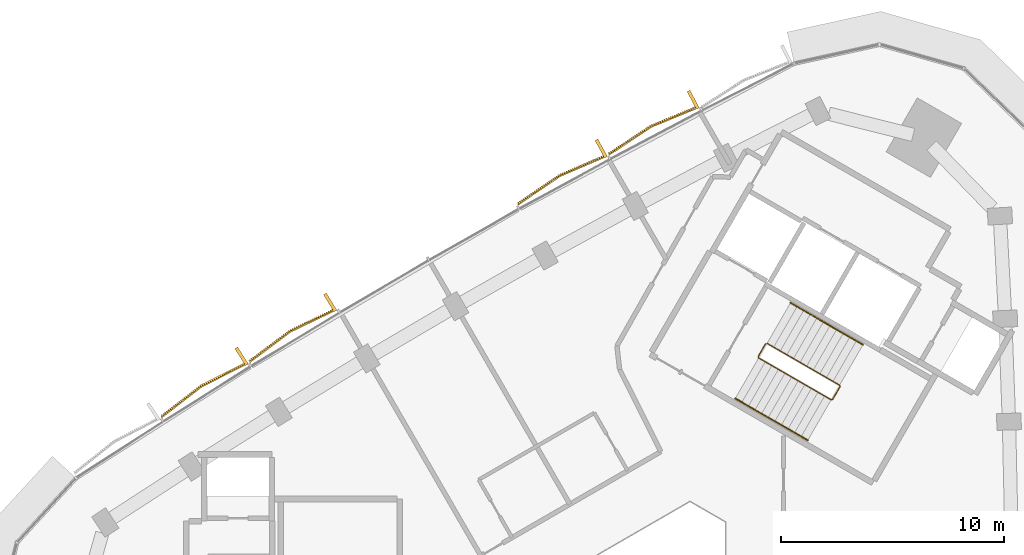
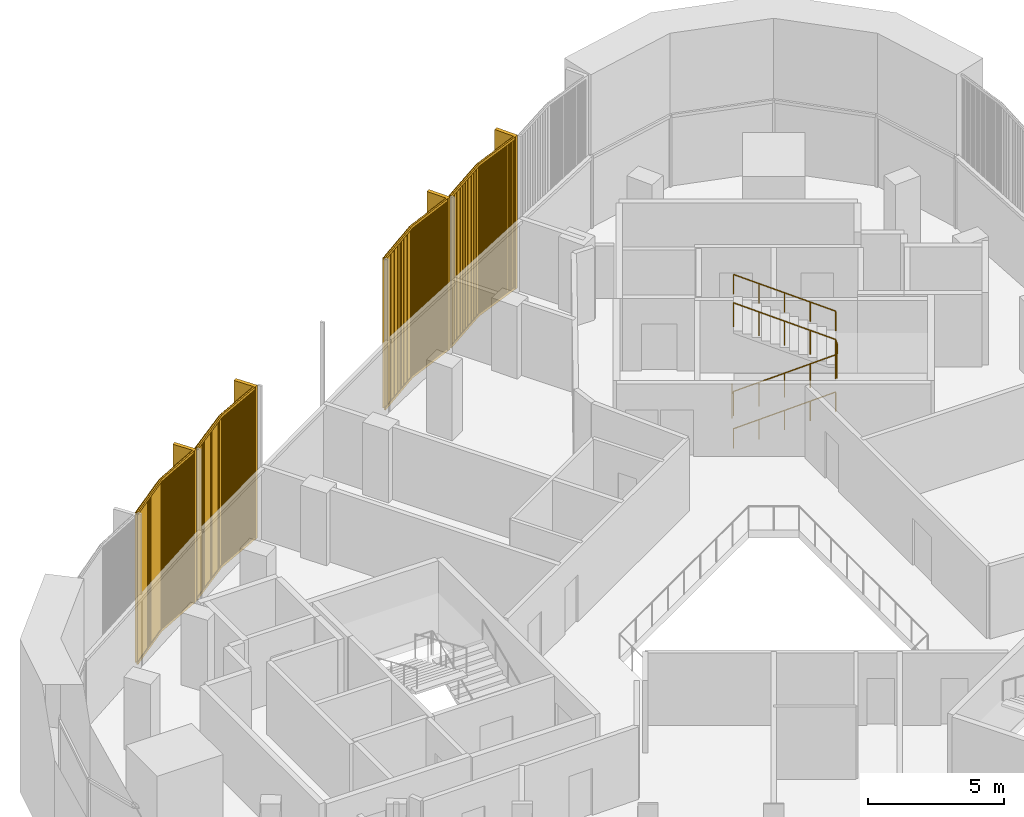
# One storey, part 15 of 16: 4 coverings, 3 railings.
"""IFC4 building model written with IfcOpenShell, lengths in metres."""

from ifc_helpers import new_model, si_unit, direction, frame, frame_2d, origin, origin_2d, place, context, subcontext, project, spatial, rectangle, circle, extrude, source, transform, mapped, material, type_object, element, save


model = new_model("IFC4")

# Units and contexts
model_context = context("Model", 3, precision=1e-05, world=origin(), true_north=direction((0.0, 1.0)))
body_context = subcontext(model_context, "Body", "Model", "MODEL_VIEW")
ifc_project = project(units=[si_unit("LENGTHUNIT", "METRE"), si_unit("AREAUNIT", "SQUARE_METRE"), si_unit("VOLUMEUNIT", "CUBIC_METRE"), si_unit("PLANEANGLEUNIT", "RADIAN"), si_unit("MASSUNIT", "GRAM", prefix="KILO")], contexts=[model_context])

# Site, building, storey
site_placement = place(None, origin())
site = spatial("IfcSite", under=ifc_project, at=site_placement, CompositionType="ELEMENT")
building_placement = place(site_placement, origin())
building = spatial("IfcBuilding", under=site, at=building_placement, Name="Tamra Quay Hotel Tower", CompositionType="ELEMENT")
storey_placement = place(building_placement, frame((0.0, 0.0, 243.0)))
storey = spatial("IfcBuildingStorey", under=building, at=storey_placement, Name="L61", CompositionType="ELEMENT", Elevation=243.0)

# Railings
ifc_material_1 = material(Name="Stair guard 1100")
railing_type_1 = type_object("IfcRailingType", Name="Stair guard 1100", PredefinedType="GUARDRAIL", material=ifc_material_1)
railing_1_placement = place(storey_placement, frame((5.595458984375, 12.751953125, 0.0)))
element("IfcRailing", 1, at=railing_1_placement, inside=storey, type_object=railing_type_1, Name="GR", PredefinedType="GUARDRAIL", context=body_context, shape_type="SweptSolid", body=[
    extrude(circle(Radius=0.02392578125, at=origin_2d()), frame((0.0, 0.0, 1.076171875), z_axis=(-0.499765215335, -0.866160914346, 0.0), x_axis=(0.866160914346, -0.499765215335, 0.0)), (0.0, 0.0, 1.0), 0.658935546875),
    extrude(circle(Radius=0.02392578125, at=origin_2d()), frame((-0.329345703125, -0.57080078125, 1.076171875), z_axis=(0.110525977783, -0.411156637351, 0.904839338113), x_axis=(0.965715946433, 0.259601060869, 0.0)), (0.0, 0.0, 1.0), 0.165771484375),
    extrude(circle(Radius=0.02392578125, at=origin_2d()), frame((-0.31103515625, -0.638916015625, 1.22607421875), z_axis=(0.79305953016, -0.457922937641, 0.401700342053), x_axis=(0.500040788363, 0.866001853331, 0.0)), (0.0, 0.0, 1.0), 4.10791015625),
    extrude(circle(Radius=0.02392578125, at=origin_2d()), frame((2.94677734375, -2.52001953125, 2.8759765625), z_axis=(0.965948051503, 0.258736085224, 0.0), x_axis=(-0.258736085224, 0.965948051503, 0.0)), (0.0, 0.0, 1.0), 0.07080078125),
    extrude(circle(Radius=0.02392578125, at=origin_2d()), frame((3.01513671875, -2.501708984375, 2.8759765625), z_axis=(0.500043078269, 0.866000531106, 0.0), x_axis=(-0.866000531106, 0.500043078269, 0.0)), (0.0, 0.0, 1.0), 0.6591796875),
    extrude(circle(Radius=0.02392578125, at=origin_2d()), frame((3.3447265625, -1.930908203125, 2.8759765625), z_axis=(-0.110525977783, 0.411156637351, 0.904839338113), x_axis=(-0.965715946433, -0.259601060869, 0.0)), (0.0, 0.0, 1.0), 0.165771484375),
    extrude(circle(Radius=0.02392578125, at=origin_2d()), frame((3.326416015625, -1.86279296875, 3.02587890625), z_axis=(-0.793081581205, 0.457901355053, 0.401681409319), x_axis=(-0.500012686397, -0.866018079166, 0.0)), (0.0, 0.0, 1.0), 4.108154296875),
    extrude(circle(Radius=0.02099609375, at=origin_2d()), origin(), (0.0, 0.0, 1.0), 1.052001953125),
    extrude(circle(Radius=0.02099609375, at=origin_2d()), frame((-0.329345703125, -0.57080078125, 0.0)), (0.0, 0.0, 1.0), 1.052001953125),
    extrude(circle(Radius=0.02099609375, at=origin_2d()), frame((-0.31103515625, -0.638916015625, 0.14990234375)), (0.0, 0.0, 1.0), 1.052001953125),
    extrude(circle(Radius=0.02099609375, at=origin_2d()), frame((0.50341796875, -1.109130859375, 0.5625)), (0.0, 0.0, 1.0), 1.052001953125),
    extrude(circle(Radius=0.02099609375, at=origin_2d()), frame((1.31787109375, -1.57958984375, 0.97509765625)), (0.0, 0.0, 1.0), 1.052001953125),
    extrude(circle(Radius=0.02099609375, at=origin_2d()), frame((2.13232421875, -2.0498046875, 1.387451171875)), (0.0, 0.0, 1.0), 1.052001953125),
    extrude(circle(Radius=0.02099609375, at=origin_2d()), frame((2.94677734375, -2.52001953125, 1.800048828125)), (0.0, 0.0, 1.0), 1.052001953125),
    extrude(circle(Radius=0.02099609375, at=origin_2d()), frame((3.01513671875, -2.501708984375, 1.800048828125)), (0.0, 0.0, 1.0), 1.052001953125),
    extrude(circle(Radius=0.02099609375, at=origin_2d()), frame((3.3447265625, -1.930908203125, 1.800048828125)), (0.0, 0.0, 1.0), 1.052001953125),
    extrude(circle(Radius=0.02099609375, at=origin_2d()), frame((3.326416015625, -1.86279296875, 1.949951171875)), (0.0, 0.0, 1.0), 1.052001953125),
    extrude(circle(Radius=0.02099609375, at=origin_2d()), frame((2.511962890625, -1.392578125, 2.362548828125)), (0.0, 0.0, 1.0), 1.052001953125),
    extrude(circle(Radius=0.02099609375, at=origin_2d()), frame((1.697265625, -0.92236328125, 2.77490234375)), (0.0, 0.0, 1.0), 1.052001953125),
    extrude(circle(Radius=0.02099609375, at=origin_2d()), frame((0.8828125, -0.451904296875, 3.1875)), (0.0, 0.0, 1.0), 1.052001953125),
    extrude(circle(Radius=0.02099609375, at=origin_2d()), frame((0.068359375, 0.018310546875, 3.60009765625)), (0.0, 0.0, 1.0), 1.052001953125),
])
ifc_material_2 = material(Name="Stair handrail 900")
railing_type_2 = type_object("IfcRailingType", Name="Stair handrail 900", PredefinedType="HANDRAIL", material=ifc_material_2)
railing_2_placement = place(storey_placement, frame((4.234375, 10.294189453125, 0.14990234375)))
element("IfcRailing", 2, at=railing_2_placement, inside=storey, type_object=railing_type_2, Name="HR", PredefinedType="HANDRAIL", context=body_context, shape_type="SweptSolid", body=[
    extrude(circle(Radius=0.02392578125, at=origin_2d()), frame((0.0, 0.0, 0.8759765625), z_axis=(0.793103162556, -0.457854384738, 0.401692339881), x_axis=(0.499964013922, 0.86604617936, 0.0)), (0.0, 0.0, 1.0), 4.10791015625),
    extrude(circle(Radius=0.02099609375, at=origin_2d()), origin(), (0.0, 0.0, 1.0), 0.851806640625),
    extrude(circle(Radius=0.02099609375, at=origin_2d()), frame((0.814453125, -0.47021484375, 0.41259765625)), (0.0, 0.0, 1.0), 0.851806640625),
    extrude(circle(Radius=0.02099609375, at=origin_2d()), frame((1.62890625, -0.9404296875, 0.8251953125)), (0.0, 0.0, 1.0), 0.851806640625),
    extrude(circle(Radius=0.02099609375, at=origin_2d()), frame((2.443603515625, -1.41064453125, 1.237548828125)), (0.0, 0.0, 1.0), 0.851806640625),
    extrude(circle(Radius=0.02099609375, at=origin_2d()), frame((3.258056640625, -1.880859375, 1.650146484375)), (0.0, 0.0, 1.0), 0.851806640625),
])
railing_3_placement = place(storey_placement, frame((9.971923828125, 12.7080078125, 1.949951171875)))
element("IfcRailing", 3, at=railing_3_placement, inside=storey, type_object=railing_type_2, Name="HR", PredefinedType="HANDRAIL", context=body_context, shape_type="SweptSolid", body=[
    extrude(circle(Radius=0.02392578125, at=origin_2d()), frame((0.0, 0.0, 0.8759765625), z_axis=(-0.793103162556, 0.457854384738, 0.401692339881), x_axis=(-0.499964013922, -0.86604617936, 0.0)), (0.0, 0.0, 1.0), 4.10791015625),
    extrude(circle(Radius=0.02099609375, at=origin_2d()), origin(), (0.0, 0.0, 1.0), 0.851806640625),
    extrude(circle(Radius=0.02099609375, at=origin_2d()), frame((-0.814453125, 0.47021484375, 0.41259765625)), (0.0, 0.0, 1.0), 0.851806640625),
    extrude(circle(Radius=0.02099609375, at=origin_2d()), frame((-1.62890625, 0.9404296875, 0.8251953125)), (0.0, 0.0, 1.0), 0.851806640625),
    extrude(circle(Radius=0.02099609375, at=origin_2d()), frame((-2.443603515625, 1.41064453125, 1.237548828125)), (0.0, 0.0, 1.0), 0.851806640625),
    extrude(circle(Radius=0.02099609375, at=origin_2d()), frame((-3.258056640625, 1.880859375, 1.650146484375)), (0.0, 0.0, 1.0), 0.851806640625),
])

# Coverings
ifc_material_3 = material(Name="Terracotta baguette extruded", Category="masonry")
covering_type = type_object("IfcCoveringType", Name="BAGUETTE SCREEN NW-V H6850", PredefinedType="USERDEFINED", material=ifc_material_3)
shared_shape_1 = source(origin(), body_context, "Body", "SweptSolid", [
    extrude(rectangle(XDim=2.29296875, YDim=0.06005859375, at=frame_2d((1.146484375, 0.030029296875))), frame((-2.288330078125, -0.0576171875, -0.1201171875), z_axis=(0.0, 0.0, 1.0), x_axis=(0.995396198367, -0.09584575252, 0.0)), (0.0, 0.0, 1.0), 0.1201171875),
    extrude(rectangle(XDim=2.29296875, YDim=0.06005859375, at=frame_2d((1.146484375, 0.030029296875))), frame((-2.288330078125, -0.0576171875, -6.85009765625), z_axis=(0.0, 0.0, 1.0), x_axis=(0.995396198367, -0.09584575252, 0.0)), (0.0, 0.0, 1.0), 0.1201171875),
    extrude(rectangle(XDim=0.070068359375, YDim=0.10009765625, at=frame_2d((0.03515625, 0.050048828125))), frame((-2.267822265625, -0.1328125, -6.7900390625)), (0.0, 0.0, 1.0), 6.72998046875),
    extrude(rectangle(XDim=0.070068359375, YDim=0.10009765625, at=frame_2d((0.03515625, 0.050048828125))), frame((-2.168701171875, -0.142333984375, -6.7900390625)), (0.0, 0.0, 1.0), 6.72998046875),
    extrude(rectangle(XDim=0.070068359375, YDim=0.10009765625, at=frame_2d((0.03515625, 0.050048828125))), frame((-2.0693359375, -0.15185546875, -6.7900390625)), (0.0, 0.0, 1.0), 6.72998046875),
    extrude(rectangle(XDim=0.070068359375, YDim=0.10009765625, at=frame_2d((0.03515625, 0.050048828125))), frame((-1.97021484375, -0.161376953125, -6.7900390625)), (0.0, 0.0, 1.0), 6.72998046875),
    extrude(rectangle(XDim=0.070068359375, YDim=0.10009765625, at=frame_2d((0.03515625, 0.050048828125))), frame((-1.870849609375, -0.1708984375, -6.7900390625)), (0.0, 0.0, 1.0), 6.72998046875),
    extrude(rectangle(XDim=0.070068359375, YDim=0.10009765625, at=frame_2d((0.03515625, 0.050048828125))), frame((-1.771728515625, -0.1806640625, -6.7900390625)), (0.0, 0.0, 1.0), 6.72998046875),
    extrude(rectangle(XDim=0.070068359375, YDim=0.10009765625, at=frame_2d((0.03515625, 0.050048828125))), frame((-1.67236328125, -0.190185546875, -6.7900390625)), (0.0, 0.0, 1.0), 6.72998046875),
    extrude(rectangle(XDim=0.070068359375, YDim=0.10009765625, at=frame_2d((0.03515625, 0.050048828125))), frame((-1.5732421875, -0.19970703125, -6.7900390625)), (0.0, 0.0, 1.0), 6.72998046875),
    extrude(rectangle(XDim=0.070068359375, YDim=0.10009765625, at=frame_2d((0.03515625, 0.050048828125))), frame((-1.473876953125, -0.209228515625, -6.7900390625)), (0.0, 0.0, 1.0), 6.72998046875),
    extrude(rectangle(XDim=0.070068359375, YDim=0.10009765625, at=frame_2d((0.03515625, 0.050048828125))), frame((-1.374755859375, -0.21875, -6.7900390625)), (0.0, 0.0, 1.0), 6.72998046875),
    extrude(rectangle(XDim=0.070068359375, YDim=0.10009765625, at=frame_2d((0.03515625, 0.050048828125))), frame((-1.275390625, -0.228271484375, -6.7900390625)), (0.0, 0.0, 1.0), 6.72998046875),
    extrude(rectangle(XDim=0.070068359375, YDim=0.10009765625, at=frame_2d((0.03515625, 0.050048828125))), frame((-1.17626953125, -0.23779296875, -6.7900390625)), (0.0, 0.0, 1.0), 6.72998046875),
    extrude(rectangle(XDim=0.070068359375, YDim=0.10009765625, at=frame_2d((0.03515625, 0.050048828125))), frame((-1.076904296875, -0.24755859375, -6.7900390625)), (0.0, 0.0, 1.0), 6.72998046875),
    extrude(rectangle(XDim=0.070068359375, YDim=0.10009765625, at=frame_2d((0.03515625, 0.050048828125))), frame((-0.977783203125, -0.257080078125, -6.7900390625)), (0.0, 0.0, 1.0), 6.72998046875),
    extrude(rectangle(XDim=0.070068359375, YDim=0.10009765625, at=frame_2d((0.03515625, 0.050048828125))), frame((-0.87841796875, -0.2666015625, -6.7900390625)), (0.0, 0.0, 1.0), 6.72998046875),
    extrude(rectangle(XDim=0.070068359375, YDim=0.10009765625, at=frame_2d((0.03515625, 0.050048828125))), frame((-0.779296875, -0.276123046875, -6.7900390625)), (0.0, 0.0, 1.0), 6.72998046875),
    extrude(rectangle(XDim=0.070068359375, YDim=0.10009765625, at=frame_2d((0.03515625, 0.050048828125))), frame((-0.679931640625, -0.28564453125, -6.7900390625)), (0.0, 0.0, 1.0), 6.72998046875),
    extrude(rectangle(XDim=0.070068359375, YDim=0.10009765625, at=frame_2d((0.03515625, 0.050048828125))), frame((-0.580810546875, -0.295166015625, -6.7900390625)), (0.0, 0.0, 1.0), 6.72998046875),
    extrude(rectangle(XDim=0.070068359375, YDim=0.10009765625, at=frame_2d((0.03515625, 0.050048828125))), frame((-0.481689453125, -0.3046875, -6.7900390625)), (0.0, 0.0, 1.0), 6.72998046875),
    extrude(rectangle(XDim=0.070068359375, YDim=0.10009765625, at=frame_2d((0.03515625, 0.050048828125))), frame((-0.38232421875, -0.314453125, -6.7900390625)), (0.0, 0.0, 1.0), 6.72998046875),
    extrude(rectangle(XDim=0.070068359375, YDim=0.10009765625, at=frame_2d((0.03515625, 0.050048828125))), frame((-0.283203125, -0.323974609375, -6.7900390625)), (0.0, 0.0, 1.0), 6.72998046875),
    extrude(rectangle(XDim=0.070068359375, YDim=0.10009765625, at=frame_2d((0.03515625, 0.050048828125))), frame((-0.183837890625, -0.33349609375, -6.7900390625)), (0.0, 0.0, 1.0), 6.72998046875),
    extrude(rectangle(XDim=0.070068359375, YDim=0.10009765625, at=frame_2d((0.03515625, 0.050048828125))), frame((-0.084716796875, -0.343017578125, -6.7900390625)), (0.0, 0.0, 1.0), 6.72998046875),
    extrude(rectangle(XDim=2.29296875, YDim=0.06005859375, at=frame_2d((1.146484375, 0.030029296875))), frame((0.005859375, -0.277587890625, -0.1201171875), z_axis=(0.0, 0.0, 1.0), x_axis=(0.995396198367, 0.09584575252, 0.0)), (0.0, 0.0, 1.0), 0.1201171875),
    extrude(rectangle(XDim=2.29296875, YDim=0.06005859375, at=frame_2d((1.146484375, 0.030029296875))), frame((0.005859375, -0.277587890625, -6.85009765625), z_axis=(0.0, 0.0, 1.0), x_axis=(0.995396198367, 0.09584575252, 0.0)), (0.0, 0.0, 1.0), 0.1201171875),
    extrude(rectangle(XDim=0.070068359375, YDim=0.10009765625, at=frame_2d((0.03515625, 0.050048828125))), frame((0.0146484375, -0.343017578125, -6.7900390625)), (0.0, 0.0, 1.0), 6.72998046875),
    extrude(rectangle(XDim=0.070068359375, YDim=0.10009765625, at=frame_2d((0.03515625, 0.050048828125))), frame((0.11376953125, -0.33349609375, -6.7900390625)), (0.0, 0.0, 1.0), 6.72998046875),
    extrude(rectangle(XDim=0.070068359375, YDim=0.10009765625, at=frame_2d((0.03515625, 0.050048828125))), frame((0.213134765625, -0.323974609375, -6.7900390625)), (0.0, 0.0, 1.0), 6.72998046875),
    extrude(rectangle(XDim=0.070068359375, YDim=0.10009765625, at=frame_2d((0.03515625, 0.050048828125))), frame((0.312255859375, -0.314453125, -6.7900390625)), (0.0, 0.0, 1.0), 6.72998046875),
    extrude(rectangle(XDim=0.070068359375, YDim=0.10009765625, at=frame_2d((0.03515625, 0.050048828125))), frame((0.41162109375, -0.3046875, -6.7900390625)), (0.0, 0.0, 1.0), 6.72998046875),
    extrude(rectangle(XDim=0.070068359375, YDim=0.10009765625, at=frame_2d((0.03515625, 0.050048828125))), frame((0.5107421875, -0.295166015625, -6.7900390625)), (0.0, 0.0, 1.0), 6.72998046875),
    extrude(rectangle(XDim=0.070068359375, YDim=0.10009765625, at=frame_2d((0.03515625, 0.050048828125))), frame((0.610107421875, -0.28564453125, -6.7900390625)), (0.0, 0.0, 1.0), 6.72998046875),
    extrude(rectangle(XDim=0.070068359375, YDim=0.10009765625, at=frame_2d((0.03515625, 0.050048828125))), frame((0.709228515625, -0.276123046875, -6.7900390625)), (0.0, 0.0, 1.0), 6.72998046875),
    extrude(rectangle(XDim=0.070068359375, YDim=0.10009765625, at=frame_2d((0.03515625, 0.050048828125))), frame((0.80859375, -0.2666015625, -6.7900390625)), (0.0, 0.0, 1.0), 6.72998046875),
    extrude(rectangle(XDim=0.070068359375, YDim=0.10009765625, at=frame_2d((0.03515625, 0.050048828125))), frame((0.90771484375, -0.257080078125, -6.7900390625)), (0.0, 0.0, 1.0), 6.72998046875),
    extrude(rectangle(XDim=0.070068359375, YDim=0.10009765625, at=frame_2d((0.03515625, 0.050048828125))), frame((1.007080078125, -0.24755859375, -6.7900390625)), (0.0, 0.0, 1.0), 6.72998046875),
    extrude(rectangle(XDim=0.070068359375, YDim=0.10009765625, at=frame_2d((0.03515625, 0.050048828125))), frame((1.106201171875, -0.23779296875, -6.7900390625)), (0.0, 0.0, 1.0), 6.72998046875),
    extrude(rectangle(XDim=0.070068359375, YDim=0.10009765625, at=frame_2d((0.03515625, 0.050048828125))), frame((1.20556640625, -0.228271484375, -6.7900390625)), (0.0, 0.0, 1.0), 6.72998046875),
    extrude(rectangle(XDim=0.070068359375, YDim=0.10009765625, at=frame_2d((0.03515625, 0.050048828125))), frame((1.3046875, -0.21875, -6.7900390625)), (0.0, 0.0, 1.0), 6.72998046875),
    extrude(rectangle(XDim=0.070068359375, YDim=0.10009765625, at=frame_2d((0.03515625, 0.050048828125))), frame((1.404052734375, -0.209228515625, -6.7900390625)), (0.0, 0.0, 1.0), 6.72998046875),
    extrude(rectangle(XDim=0.070068359375, YDim=0.10009765625, at=frame_2d((0.03515625, 0.050048828125))), frame((1.503173828125, -0.19970703125, -6.7900390625)), (0.0, 0.0, 1.0), 6.72998046875),
    extrude(rectangle(XDim=0.070068359375, YDim=0.10009765625, at=frame_2d((0.03515625, 0.050048828125))), frame((1.6025390625, -0.190185546875, -6.7900390625)), (0.0, 0.0, 1.0), 6.72998046875),
    extrude(rectangle(XDim=0.070068359375, YDim=0.10009765625, at=frame_2d((0.03515625, 0.050048828125))), frame((1.70166015625, -0.1806640625, -6.7900390625)), (0.0, 0.0, 1.0), 6.72998046875),
    extrude(rectangle(XDim=0.070068359375, YDim=0.10009765625, at=frame_2d((0.03515625, 0.050048828125))), frame((1.801025390625, -0.1708984375, -6.7900390625)), (0.0, 0.0, 1.0), 6.72998046875),
    extrude(rectangle(XDim=0.070068359375, YDim=0.10009765625, at=frame_2d((0.03515625, 0.050048828125))), frame((1.900146484375, -0.161376953125, -6.7900390625)), (0.0, 0.0, 1.0), 6.72998046875),
    extrude(rectangle(XDim=0.070068359375, YDim=0.10009765625, at=frame_2d((0.03515625, 0.050048828125))), frame((1.99951171875, -0.15185546875, -6.7900390625)), (0.0, 0.0, 1.0), 6.72998046875),
    extrude(rectangle(XDim=0.070068359375, YDim=0.10009765625, at=frame_2d((0.03515625, 0.050048828125))), frame((2.0986328125, -0.142333984375, -6.7900390625)), (0.0, 0.0, 1.0), 6.72998046875),
    extrude(rectangle(XDim=0.070068359375, YDim=0.10009765625, at=frame_2d((0.03515625, 0.050048828125))), frame((2.197998046875, -0.1328125, -6.7900390625)), (0.0, 0.0, 1.0), 6.72998046875),
    extrude(rectangle(XDim=0.14990234375, YDim=0.902099609375, at=frame_2d((0.074951171875, 0.451171875))), frame((-2.282470703125, -0.89990234375, -6.85009765625)), (0.0, 0.0, 1.0), 6.85009765625),
])
for number, where, z_axis, x_axis, name in (
    (4, (-3.51220703125, 20.0703125, 6.85009765625), (0.0, 0.0, 1.0), (-0.876845960448, -0.480771423492, 0.0), "Baguette screen L61.NW.f02"),
    (5, (-15.625244140625, 13.07666015625, 6.85009765625), (0.0, 0.0, 1.0), (-0.854783246382, -0.518985165207, 0.0), "Baguette screen L61.NW.f05"),
):
    element("IfcCovering", number, at=place(storey_placement, frame(where, z_axis=z_axis, x_axis=x_axis)), inside=storey, type_object=covering_type, Name=name, ObjectType="BAGUETTE SCREEN", PredefinedType="USERDEFINED", context=body_context, shape_type="MappedRepresentation", body=[
        mapped(shared_shape_1, transform((0.0, 0.0, 0.0), scale=1.0)),
    ])
shared_shape_2 = source(origin(), body_context, "Body", "SweptSolid", [
    extrude(rectangle(XDim=2.302978515625, YDim=0.06005859375, at=frame_2d((1.1513671875, 0.030029296875))), frame((-2.29833984375, -0.0576171875, -0.1201171875), z_axis=(0.0, 0.0, 1.0), x_axis=(0.995396198367, -0.09584575252, 0.0)), (0.0, 0.0, 1.0), 0.1201171875),
    extrude(rectangle(XDim=2.302978515625, YDim=0.06005859375, at=frame_2d((1.1513671875, 0.030029296875))), frame((-2.29833984375, -0.0576171875, -6.85009765625), z_axis=(0.0, 0.0, 1.0), x_axis=(0.995396198367, -0.09584575252, 0.0)), (0.0, 0.0, 1.0), 0.1201171875),
    extrude(rectangle(XDim=0.070068359375, YDim=0.10009765625, at=frame_2d((0.03515625, 0.050048828125))), frame((-2.277587890625, -0.1328125, -6.7900390625)), (0.0, 0.0, 1.0), 6.72998046875),
    extrude(rectangle(XDim=0.070068359375, YDim=0.10009765625, at=frame_2d((0.03515625, 0.050048828125))), frame((-2.177978515625, -0.142333984375, -6.7900390625)), (0.0, 0.0, 1.0), 6.72998046875),
    extrude(rectangle(XDim=0.070068359375, YDim=0.10009765625, at=frame_2d((0.03515625, 0.050048828125))), frame((-2.078369140625, -0.152099609375, -6.7900390625)), (0.0, 0.0, 1.0), 6.72998046875),
    extrude(rectangle(XDim=0.070068359375, YDim=0.10009765625, at=frame_2d((0.03515625, 0.050048828125))), frame((-1.978759765625, -0.16162109375, -6.7900390625)), (0.0, 0.0, 1.0), 6.72998046875),
    extrude(rectangle(XDim=0.070068359375, YDim=0.10009765625, at=frame_2d((0.03515625, 0.050048828125))), frame((-1.87890625, -0.171142578125, -6.7900390625)), (0.0, 0.0, 1.0), 6.72998046875),
    extrude(rectangle(XDim=0.070068359375, YDim=0.10009765625, at=frame_2d((0.03515625, 0.050048828125))), frame((-1.779296875, -0.180908203125, -6.7900390625)), (0.0, 0.0, 1.0), 6.72998046875),
    extrude(rectangle(XDim=0.070068359375, YDim=0.10009765625, at=frame_2d((0.03515625, 0.050048828125))), frame((-1.6796875, -0.1904296875, -6.7900390625)), (0.0, 0.0, 1.0), 6.72998046875),
    extrude(rectangle(XDim=0.070068359375, YDim=0.10009765625, at=frame_2d((0.03515625, 0.050048828125))), frame((-1.579833984375, -0.199951171875, -6.7900390625)), (0.0, 0.0, 1.0), 6.72998046875),
    extrude(rectangle(XDim=0.070068359375, YDim=0.10009765625, at=frame_2d((0.03515625, 0.050048828125))), frame((-1.480224609375, -0.20947265625, -6.7900390625)), (0.0, 0.0, 1.0), 6.72998046875),
    extrude(rectangle(XDim=0.070068359375, YDim=0.10009765625, at=frame_2d((0.03515625, 0.050048828125))), frame((-1.380615234375, -0.21923828125, -6.7900390625)), (0.0, 0.0, 1.0), 6.72998046875),
    extrude(rectangle(XDim=0.070068359375, YDim=0.10009765625, at=frame_2d((0.03515625, 0.050048828125))), frame((-1.281005859375, -0.228759765625, -6.7900390625)), (0.0, 0.0, 1.0), 6.72998046875),
    extrude(rectangle(XDim=0.070068359375, YDim=0.10009765625, at=frame_2d((0.03515625, 0.050048828125))), frame((-1.18115234375, -0.23828125, -6.7900390625)), (0.0, 0.0, 1.0), 6.72998046875),
    extrude(rectangle(XDim=0.070068359375, YDim=0.10009765625, at=frame_2d((0.03515625, 0.050048828125))), frame((-1.08154296875, -0.248046875, -6.7900390625)), (0.0, 0.0, 1.0), 6.72998046875),
    extrude(rectangle(XDim=0.070068359375, YDim=0.10009765625, at=frame_2d((0.03515625, 0.050048828125))), frame((-0.98193359375, -0.257568359375, -6.7900390625)), (0.0, 0.0, 1.0), 6.72998046875),
    extrude(rectangle(XDim=0.070068359375, YDim=0.10009765625, at=frame_2d((0.03515625, 0.050048828125))), frame((-0.88232421875, -0.26708984375, -6.7900390625)), (0.0, 0.0, 1.0), 6.72998046875),
    extrude(rectangle(XDim=0.070068359375, YDim=0.10009765625, at=frame_2d((0.03515625, 0.050048828125))), frame((-0.782470703125, -0.27685546875, -6.7900390625)), (0.0, 0.0, 1.0), 6.72998046875),
    extrude(rectangle(XDim=0.070068359375, YDim=0.10009765625, at=frame_2d((0.03515625, 0.050048828125))), frame((-0.682861328125, -0.286376953125, -6.7900390625)), (0.0, 0.0, 1.0), 6.72998046875),
    extrude(rectangle(XDim=0.070068359375, YDim=0.10009765625, at=frame_2d((0.03515625, 0.050048828125))), frame((-0.583251953125, -0.2958984375, -6.7900390625)), (0.0, 0.0, 1.0), 6.72998046875),
    extrude(rectangle(XDim=0.070068359375, YDim=0.10009765625, at=frame_2d((0.03515625, 0.050048828125))), frame((-0.483642578125, -0.3056640625, -6.7900390625)), (0.0, 0.0, 1.0), 6.72998046875),
    extrude(rectangle(XDim=0.070068359375, YDim=0.10009765625, at=frame_2d((0.03515625, 0.050048828125))), frame((-0.3837890625, -0.315185546875, -6.7900390625)), (0.0, 0.0, 1.0), 6.72998046875),
    extrude(rectangle(XDim=0.070068359375, YDim=0.10009765625, at=frame_2d((0.03515625, 0.050048828125))), frame((-0.2841796875, -0.32470703125, -6.7900390625)), (0.0, 0.0, 1.0), 6.72998046875),
    extrude(rectangle(XDim=0.070068359375, YDim=0.10009765625, at=frame_2d((0.03515625, 0.050048828125))), frame((-0.1845703125, -0.334228515625, -6.7900390625)), (0.0, 0.0, 1.0), 6.72998046875),
    extrude(rectangle(XDim=0.070068359375, YDim=0.10009765625, at=frame_2d((0.03515625, 0.050048828125))), frame((-0.0849609375, -0.343994140625, -6.7900390625)), (0.0, 0.0, 1.0), 6.72998046875),
    extrude(rectangle(XDim=2.302978515625, YDim=0.06005859375, at=frame_2d((1.1513671875, 0.030029296875))), frame((0.005859375, -0.278564453125, -0.1201171875), z_axis=(0.0, 0.0, 1.0), x_axis=(0.995396198367, 0.09584575252, 0.0)), (0.0, 0.0, 1.0), 0.1201171875),
    extrude(rectangle(XDim=2.302978515625, YDim=0.06005859375, at=frame_2d((1.1513671875, 0.030029296875))), frame((0.005859375, -0.278564453125, -6.85009765625), z_axis=(0.0, 0.0, 1.0), x_axis=(0.995396198367, 0.09584575252, 0.0)), (0.0, 0.0, 1.0), 0.1201171875),
    extrude(rectangle(XDim=0.070068359375, YDim=0.10009765625, at=frame_2d((0.03515625, 0.050048828125))), frame((0.014892578125, -0.343994140625, -6.7900390625)), (0.0, 0.0, 1.0), 6.72998046875),
    extrude(rectangle(XDim=0.070068359375, YDim=0.10009765625, at=frame_2d((0.03515625, 0.050048828125))), frame((0.114501953125, -0.334228515625, -6.7900390625)), (0.0, 0.0, 1.0), 6.72998046875),
    extrude(rectangle(XDim=0.070068359375, YDim=0.10009765625, at=frame_2d((0.03515625, 0.050048828125))), frame((0.214111328125, -0.32470703125, -6.7900390625)), (0.0, 0.0, 1.0), 6.72998046875),
    extrude(rectangle(XDim=0.070068359375, YDim=0.10009765625, at=frame_2d((0.03515625, 0.050048828125))), frame((0.31396484375, -0.315185546875, -6.7900390625)), (0.0, 0.0, 1.0), 6.72998046875),
    extrude(rectangle(XDim=0.070068359375, YDim=0.10009765625, at=frame_2d((0.03515625, 0.050048828125))), frame((0.41357421875, -0.3056640625, -6.7900390625)), (0.0, 0.0, 1.0), 6.72998046875),
    extrude(rectangle(XDim=0.070068359375, YDim=0.10009765625, at=frame_2d((0.03515625, 0.050048828125))), frame((0.51318359375, -0.2958984375, -6.7900390625)), (0.0, 0.0, 1.0), 6.72998046875),
    extrude(rectangle(XDim=0.070068359375, YDim=0.10009765625, at=frame_2d((0.03515625, 0.050048828125))), frame((0.61279296875, -0.286376953125, -6.7900390625)), (0.0, 0.0, 1.0), 6.72998046875),
    extrude(rectangle(XDim=0.070068359375, YDim=0.10009765625, at=frame_2d((0.03515625, 0.050048828125))), frame((0.712646484375, -0.27685546875, -6.7900390625)), (0.0, 0.0, 1.0), 6.72998046875),
    extrude(rectangle(XDim=0.070068359375, YDim=0.10009765625, at=frame_2d((0.03515625, 0.050048828125))), frame((0.812255859375, -0.26708984375, -6.7900390625)), (0.0, 0.0, 1.0), 6.72998046875),
    extrude(rectangle(XDim=0.070068359375, YDim=0.10009765625, at=frame_2d((0.03515625, 0.050048828125))), frame((0.911865234375, -0.257568359375, -6.7900390625)), (0.0, 0.0, 1.0), 6.72998046875),
    extrude(rectangle(XDim=0.070068359375, YDim=0.10009765625, at=frame_2d((0.03515625, 0.050048828125))), frame((1.011474609375, -0.248046875, -6.7900390625)), (0.0, 0.0, 1.0), 6.72998046875),
    extrude(rectangle(XDim=0.070068359375, YDim=0.10009765625, at=frame_2d((0.03515625, 0.050048828125))), frame((1.111328125, -0.23828125, -6.7900390625)), (0.0, 0.0, 1.0), 6.72998046875),
    extrude(rectangle(XDim=0.070068359375, YDim=0.10009765625, at=frame_2d((0.03515625, 0.050048828125))), frame((1.2109375, -0.228759765625, -6.7900390625)), (0.0, 0.0, 1.0), 6.72998046875),
    extrude(rectangle(XDim=0.070068359375, YDim=0.10009765625, at=frame_2d((0.03515625, 0.050048828125))), frame((1.310546875, -0.21923828125, -6.7900390625)), (0.0, 0.0, 1.0), 6.72998046875),
    extrude(rectangle(XDim=0.070068359375, YDim=0.10009765625, at=frame_2d((0.03515625, 0.050048828125))), frame((1.41015625, -0.20947265625, -6.7900390625)), (0.0, 0.0, 1.0), 6.72998046875),
    extrude(rectangle(XDim=0.070068359375, YDim=0.10009765625, at=frame_2d((0.03515625, 0.050048828125))), frame((1.510009765625, -0.199951171875, -6.7900390625)), (0.0, 0.0, 1.0), 6.72998046875),
    extrude(rectangle(XDim=0.070068359375, YDim=0.10009765625, at=frame_2d((0.03515625, 0.050048828125))), frame((1.609619140625, -0.1904296875, -6.7900390625)), (0.0, 0.0, 1.0), 6.72998046875),
    extrude(rectangle(XDim=0.070068359375, YDim=0.10009765625, at=frame_2d((0.03515625, 0.050048828125))), frame((1.709228515625, -0.180908203125, -6.7900390625)), (0.0, 0.0, 1.0), 6.72998046875),
    extrude(rectangle(XDim=0.070068359375, YDim=0.10009765625, at=frame_2d((0.03515625, 0.050048828125))), frame((1.80908203125, -0.171142578125, -6.7900390625)), (0.0, 0.0, 1.0), 6.72998046875),
    extrude(rectangle(XDim=0.070068359375, YDim=0.10009765625, at=frame_2d((0.03515625, 0.050048828125))), frame((1.90869140625, -0.16162109375, -6.7900390625)), (0.0, 0.0, 1.0), 6.72998046875),
    extrude(rectangle(XDim=0.070068359375, YDim=0.10009765625, at=frame_2d((0.03515625, 0.050048828125))), frame((2.00830078125, -0.152099609375, -6.7900390625)), (0.0, 0.0, 1.0), 6.72998046875),
    extrude(rectangle(XDim=0.070068359375, YDim=0.10009765625, at=frame_2d((0.03515625, 0.050048828125))), frame((2.10791015625, -0.142333984375, -6.7900390625)), (0.0, 0.0, 1.0), 6.72998046875),
    extrude(rectangle(XDim=0.070068359375, YDim=0.10009765625, at=frame_2d((0.03515625, 0.050048828125))), frame((2.207763671875, -0.1328125, -6.7900390625)), (0.0, 0.0, 1.0), 6.72998046875),
    extrude(rectangle(XDim=0.14990234375, YDim=0.902099609375, at=frame_2d((0.074951171875, 0.451171875))), frame((-2.29248046875, -0.89990234375, -6.85009765625)), (0.0, 0.0, 1.0), 6.85009765625),
])
for number, where, z_axis, x_axis, name in (
    (6, (0.59228515625, 22.28173828125, 6.85009765625), (0.0, 0.0, 1.0), (-0.883812587773, -0.467841115866, 0.0), "Baguette screen L61.NW.f01"),
    (7, (-19.5927734375, 10.6279296875, 6.85009765625), (0.0, 0.0, 1.0), (-0.847068585161, -0.531483595263, 0.0), "Baguette screen L61.NW.f06"),
):
    element("IfcCovering", number, at=place(storey_placement, frame(where, z_axis=z_axis, x_axis=x_axis)), inside=storey, type_object=covering_type, Name=name, ObjectType="BAGUETTE SCREEN", PredefinedType="USERDEFINED", context=body_context, shape_type="MappedRepresentation", body=[
        mapped(shared_shape_2, transform((0.0, 0.0, 0.0), scale=1.0)),
    ])

save(model, "model.ifc")
